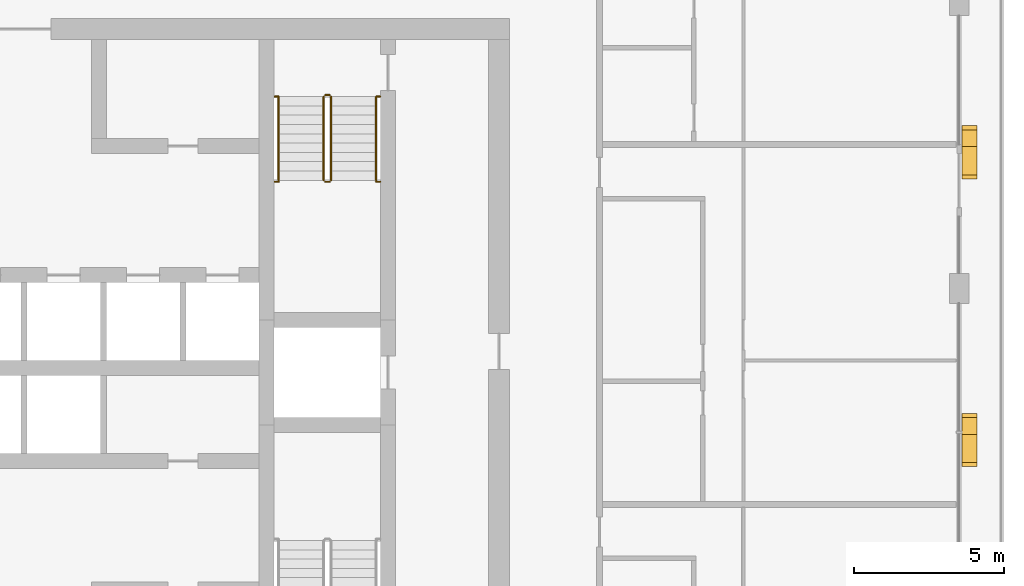
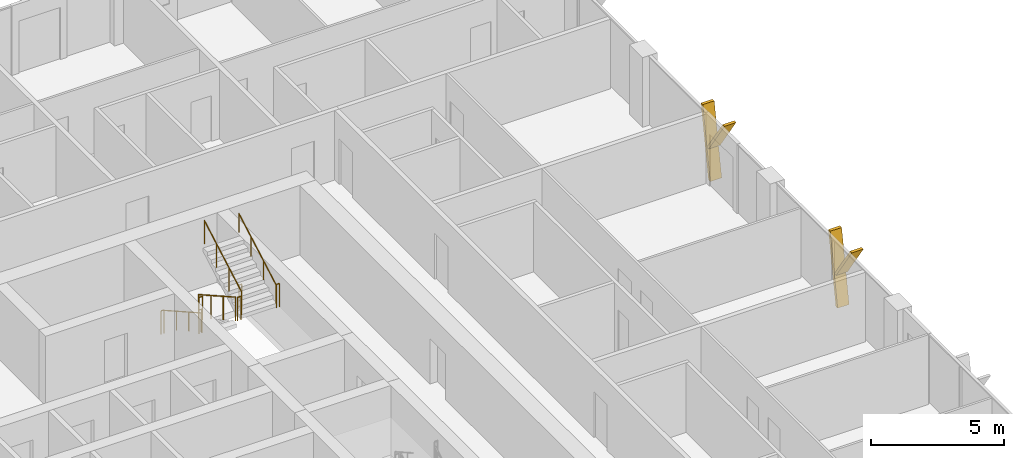
# One storey, part 21 of 22: 10 railings, 4 shading devices.
"""IFC4 building model written with IfcOpenShell, lengths in metres."""

from ifc_helpers import new_model, si_unit, direction, frame, origin, origin_2d, place, context, subcontext, project, spatial, polyline, circle, outline, extrude, material, type_object, element, save


model = new_model("IFC4")

# Units and contexts
model_context = context("Model", 3, precision=1e-05, world=origin(), true_north=direction((0.0, 1.0)))
body_context = subcontext(model_context, "Body", "Model", "MODEL_VIEW")
ifc_project = project(units=[si_unit("LENGTHUNIT", "METRE"), si_unit("AREAUNIT", "SQUARE_METRE"), si_unit("VOLUMEUNIT", "CUBIC_METRE"), si_unit("PLANEANGLEUNIT", "RADIAN"), si_unit("MASSUNIT", "GRAM", prefix="KILO")], contexts=[model_context])

# Site, building, storey
site_placement = place(None, origin())
site = spatial("IfcSite", under=ifc_project, at=site_placement, CompositionType="ELEMENT")
building_placement = place(site_placement, origin())
building = spatial("IfcBuilding", under=site, at=building_placement, Name="Madar Terraces", CompositionType="ELEMENT")
storey_placement = place(building_placement, frame((0.0, 0.0, 208.800048828125)))
storey = spatial("IfcBuildingStorey", under=building, at=storey_placement, Name="L54", CompositionType="ELEMENT", Elevation=208.800048828125)

# Shading devices
ifc_material_1 = material(Name="Aluminium, black anodised", Category="aluminium")
shading_device_type = type_object("IfcShadingDeviceType", Name="Facade fin blade 140 x 500", PredefinedType="USERDEFINED", material=ifc_material_1)
shading_device_1_placement = place(storey_placement, frame((62.75, 23.929931640625, 0.0), z_axis=(0.0, 0.0, 1.0), x_axis=(0.0, 1.0, 0.0)))
element("IfcShadingDevice", 1, at=shading_device_1_placement, inside=storey, type_object=shading_device_type, Name="FIN L54 E2", ObjectType="FIN", PredefinedType="USERDEFINED", context=body_context, shape_type="SweptSolid", body=[
    extrude(outline(polyline([(0.0, 0.0), (0.14013671875, 0.0), (0.704345703125, 3.199951171875), (0.564208984375, 3.199951171875), (0.0, 0.0)])), frame((0.0, 0.25, 0.0), z_axis=(0.0, -1.0, 0.0), x_axis=(1.0, 0.0, 0.0)), (0.0, 0.0, 1.0), 0.5),
])
shading_device_2_placement = place(storey_placement, frame((62.75, 24.0439453125, 1.43994140625), z_axis=(0.0, 0.0, 1.0), x_axis=(0.0, 1.0, 0.0)))
element("IfcShadingDevice", 2, at=shading_device_2_placement, inside=storey, type_object=shading_device_type, Name="FIN L54 E2 branch", ObjectType="FIN", PredefinedType="USERDEFINED", context=body_context, shape_type="SweptSolid", body=[
    extrude(outline(polyline([(0.0, 0.0), (0.139892578125, 0.0), (-1.049560546875, 1.760009765625), (-1.189697265625, 1.760009765625), (0.0, 0.0)])), frame((0.0, 0.25, 0.0), z_axis=(0.0, -1.0, 0.0), x_axis=(1.0, 0.0, 0.0)), (0.0, 0.0, 1.0), 0.5),
])
shading_device_3_placement = place(storey_placement, frame((62.75, 33.530029296875, 0.0), z_axis=(0.0, 0.0, 1.0), x_axis=(0.0, 1.0, 0.0)))
element("IfcShadingDevice", 3, at=shading_device_3_placement, inside=storey, type_object=shading_device_type, Name="FIN L54 E3", ObjectType="FIN", PredefinedType="USERDEFINED", context=body_context, shape_type="SweptSolid", body=[
    extrude(outline(polyline([(0.0, 0.0), (0.139892578125, 0.0), (0.704345703125, 3.199951171875), (0.564208984375, 3.199951171875), (0.0, 0.0)])), frame((0.0, 0.25, 0.0), z_axis=(0.0, -1.0, 0.0), x_axis=(1.0, 0.0, 0.0)), (0.0, 0.0, 1.0), 0.5),
])
shading_device_4_placement = place(storey_placement, frame((62.75, 33.643798828125, 1.43994140625), z_axis=(0.0, 0.0, 1.0), x_axis=(0.0, 1.0, 0.0)))
element("IfcShadingDevice", 4, at=shading_device_4_placement, inside=storey, type_object=shading_device_type, Name="FIN L54 E3 branch", ObjectType="FIN", PredefinedType="USERDEFINED", context=body_context, shape_type="SweptSolid", body=[
    extrude(outline(polyline([(0.0, 0.0), (0.14013671875, 0.0), (-1.049560546875, 1.760009765625), (-1.189697265625, 1.760009765625), (0.0, 0.0)])), frame((0.0, 0.25, 0.0), z_axis=(0.0, -1.0, 0.0), x_axis=(1.0, 0.0, 0.0)), (0.0, 0.0, 1.0), 0.5),
])

# Railings
ifc_material_2 = material(Name="Stainless steel railing", Category="steel")
railing_type_1 = type_object("IfcRailingType", Name="Stair guard 1100", PredefinedType="GUARDRAIL", material=ifc_material_2)
railing_1_placement = place(storey_placement, frame((41.199951171875, 35.199951171875, 0.175048828125)))
element("IfcRailing", 5, at=railing_1_placement, inside=storey, type_object=railing_type_1, Name="L54 ST2 stair guard 1", PredefinedType="GUARDRAIL", context=body_context, shape_type="SweptSolid", body=[
    extrude(circle(Radius=0.02392578125, at=origin_2d()), frame((0.0, 0.0, 1.076171875), z_axis=(0.0, -0.870833779661, 0.491577591232), x_axis=(1.0, 0.0, 0.0)), (0.0, 0.0, 1.0), 3.203857421875),
    extrude(circle(Radius=0.02099609375, at=origin_2d()), origin(), (0.0, 0.0, 1.0), 1.052001953125),
    extrude(circle(Radius=0.02099609375, at=origin_2d()), frame((0.0, -0.929931640625, 0.52490234375)), (0.0, 0.0, 1.0), 1.052001953125),
    extrude(circle(Radius=0.02099609375, at=origin_2d()), frame((0.0, -1.860107421875, 1.050048828125)), (0.0, 0.0, 1.0), 1.052001953125),
    extrude(circle(Radius=0.02099609375, at=origin_2d()), frame((0.0, -2.7900390625, 1.574951171875)), (0.0, 0.0, 1.0), 1.052001953125),
])
railing_2_placement = place(storey_placement, frame((41.25, 32.360107421875, 1.75)))
element("IfcRailing", 6, at=railing_2_placement, inside=storey, type_object=railing_type_1, Name="L54 ST2 stair guard 2", PredefinedType="GUARDRAIL", context=body_context, shape_type="SweptSolid", body=[
    extrude(circle(Radius=0.02392578125, at=origin_2d()), frame((0.0, 0.0, 1.076171875), z_axis=(1.0, 0.0, 0.0), x_axis=(0.0, 1.0, 0.0)), (0.0, 0.0, 1.0), 0.14990234375),
    extrude(circle(Radius=0.02099609375, at=origin_2d()), origin(), (0.0, 0.0, 1.0), 1.052001953125),
    extrude(circle(Radius=0.02099609375, at=origin_2d()), frame((0.14990234375, 0.0, 0.0)), (0.0, 0.0, 1.0), 1.052001953125),
])
railing_3_placement = place(storey_placement, frame((41.449951171875, 32.409912109375, 1.925048828125)))
element("IfcRailing", 7, at=railing_3_placement, inside=storey, type_object=railing_type_1, Name="L54 ST2 stair guard 3", PredefinedType="GUARDRAIL", context=body_context, shape_type="SweptSolid", body=[
    extrude(circle(Radius=0.02392578125, at=origin_2d()), frame((0.0, 0.0, 1.076171875), z_axis=(0.0, 0.870833779661, 0.491577591232), x_axis=(-1.0, 0.0, 0.0)), (0.0, 0.0, 1.0), 3.203857421875),
    extrude(circle(Radius=0.02099609375, at=origin_2d()), origin(), (0.0, 0.0, 1.0), 1.052001953125),
    extrude(circle(Radius=0.02099609375, at=origin_2d()), frame((0.0, 0.929931640625, 0.52490234375)), (0.0, 0.0, 1.0), 1.052001953125),
    extrude(circle(Radius=0.02099609375, at=origin_2d()), frame((0.0, 1.860107421875, 1.050048828125)), (0.0, 0.0, 1.0), 1.052001953125),
    extrude(circle(Radius=0.02099609375, at=origin_2d()), frame((0.0, 2.7900390625, 1.574951171875)), (0.0, 0.0, 1.0), 1.052001953125),
])
railing_4_placement = place(storey_placement, frame((41.25, 35.25, 0.0)))
element("IfcRailing", 8, at=railing_4_placement, inside=storey, type_object=railing_type_1, Name="L54 ST2 stair guard 4", PredefinedType="GUARDRAIL", context=body_context, shape_type="SweptSolid", body=[
    extrude(circle(Radius=0.02392578125, at=origin_2d()), frame((0.0, 0.0, 1.076171875), z_axis=(1.0, 0.0, 0.0), x_axis=(0.0, 1.0, 0.0)), (0.0, 0.0, 1.0), 0.14990234375),
    extrude(circle(Radius=0.02099609375, at=origin_2d()), origin(), (0.0, 0.0, 1.0), 1.052001953125),
    extrude(circle(Radius=0.02099609375, at=origin_2d()), frame((0.14990234375, 0.0, 0.0)), (0.0, 0.0, 1.0), 1.052001953125),
])
railing_5_placement = place(storey_placement, frame((39.570068359375, 32.360107421875, 1.75)))
element("IfcRailing", 9, at=railing_5_placement, inside=storey, type_object=railing_type_1, Name="L54 stair guard seat 1", PredefinedType="GUARDRAIL", context=body_context, shape_type="SweptSolid", body=[
    extrude(circle(Radius=0.02392578125, at=origin_2d()), frame((0.0, 0.0, 1.076171875), z_axis=(1.0, 0.0, 0.0), x_axis=(0.0, 1.0, 0.0)), (0.0, 0.0, 1.0), 0.1298828125),
    extrude(circle(Radius=0.02099609375, at=origin_2d()), origin(), (0.0, 0.0, 1.0), 1.052001953125),
    extrude(circle(Radius=0.02099609375, at=origin_2d()), frame((0.1298828125, 0.0, 0.0)), (0.0, 0.0, 1.0), 1.052001953125),
])
railing_6_placement = place(storey_placement, frame((42.949951171875, 32.360107421875, 1.75)))
element("IfcRailing", 10, at=railing_6_placement, inside=storey, type_object=railing_type_1, Name="L54 stair guard seat 2", PredefinedType="GUARDRAIL", context=body_context, shape_type="SweptSolid", body=[
    extrude(circle(Radius=0.02392578125, at=origin_2d()), frame((0.0, 0.0, 1.076171875), z_axis=(1.0, 0.0, 0.0), x_axis=(0.0, 1.0, 0.0)), (0.0, 0.0, 1.0), 0.130126953125),
    extrude(circle(Radius=0.02099609375, at=origin_2d()), origin(), (0.0, 0.0, 1.0), 1.052001953125),
    extrude(circle(Radius=0.02099609375, at=origin_2d()), frame((0.130126953125, 0.0, 0.0)), (0.0, 0.0, 1.0), 1.052001953125),
])
railing_7_placement = place(storey_placement, frame((39.570068359375, 35.199951171875, 0.0)))
element("IfcRailing", 11, at=railing_7_placement, inside=storey, type_object=railing_type_1, Name="L54 stair guard floor 1", PredefinedType="GUARDRAIL", context=body_context, shape_type="SweptSolid", body=[
    extrude(circle(Radius=0.02392578125, at=origin_2d()), frame((0.0, 0.0, 1.076171875), z_axis=(1.0, 0.0, 0.0), x_axis=(0.0, 1.0, 0.0)), (0.0, 0.0, 1.0), 0.1298828125),
    extrude(circle(Radius=0.02099609375, at=origin_2d()), origin(), (0.0, 0.0, 1.0), 1.052001953125),
    extrude(circle(Radius=0.02099609375, at=origin_2d()), frame((0.1298828125, 0.0, 0.0)), (0.0, 0.0, 1.0), 1.052001953125),
])
railing_8_placement = place(storey_placement, frame((42.949951171875, 35.199951171875, 0.0)))
element("IfcRailing", 12, at=railing_8_placement, inside=storey, type_object=railing_type_1, Name="L54 stair guard floor 2", PredefinedType="GUARDRAIL", context=body_context, shape_type="SweptSolid", body=[
    extrude(circle(Radius=0.02392578125, at=origin_2d()), frame((0.0, 0.0, 1.076171875), z_axis=(1.0, 0.0, 0.0), x_axis=(0.0, 1.0, 0.0)), (0.0, 0.0, 1.0), 0.130126953125),
    extrude(circle(Radius=0.02099609375, at=origin_2d()), origin(), (0.0, 0.0, 1.0), 1.052001953125),
    extrude(circle(Radius=0.02099609375, at=origin_2d()), frame((0.130126953125, 0.0, 0.0)), (0.0, 0.0, 1.0), 1.052001953125),
])
ifc_material_3 = material(Name="Stainless steel railing", Category="steel")
railing_type_2 = type_object("IfcRailingType", Name="Stair handrail 900", PredefinedType="HANDRAIL", material=ifc_material_3)
railing_9_placement = place(storey_placement, frame((39.699951171875, 35.199951171875, 0.175048828125)))
element("IfcRailing", 13, at=railing_9_placement, inside=storey, type_object=railing_type_2, Name="L54 ST2 stair handrail 1", PredefinedType="HANDRAIL", context=body_context, shape_type="SweptSolid", body=[
    extrude(circle(Radius=0.02392578125, at=origin_2d()), frame((0.0, 0.0, 0.8759765625), z_axis=(0.0, -0.870833779661, 0.491577591232), x_axis=(1.0, 0.0, 0.0)), (0.0, 0.0, 1.0), 3.203857421875),
    extrude(circle(Radius=0.02099609375, at=origin_2d()), origin(), (0.0, 0.0, 1.0), 0.851806640625),
    extrude(circle(Radius=0.02099609375, at=origin_2d()), frame((0.0, -0.929931640625, 0.52490234375)), (0.0, 0.0, 1.0), 0.851806640625),
    extrude(circle(Radius=0.02099609375, at=origin_2d()), frame((0.0, -1.860107421875, 1.050048828125)), (0.0, 0.0, 1.0), 0.851806640625),
    extrude(circle(Radius=0.02099609375, at=origin_2d()), frame((0.0, -2.7900390625, 1.574951171875)), (0.0, 0.0, 1.0), 0.851806640625),
])
railing_10_placement = place(storey_placement, frame((42.949951171875, 32.409912109375, 1.925048828125)))
element("IfcRailing", 14, at=railing_10_placement, inside=storey, type_object=railing_type_2, Name="L54 ST2 stair handrail 2", PredefinedType="HANDRAIL", context=body_context, shape_type="SweptSolid", body=[
    extrude(circle(Radius=0.02392578125, at=origin_2d()), frame((0.0, 0.0, 0.8759765625), z_axis=(0.0, 0.870833779661, 0.491577591232), x_axis=(-1.0, 0.0, 0.0)), (0.0, 0.0, 1.0), 3.203857421875),
    extrude(circle(Radius=0.02099609375, at=origin_2d()), origin(), (0.0, 0.0, 1.0), 0.851806640625),
    extrude(circle(Radius=0.02099609375, at=origin_2d()), frame((0.0, 0.929931640625, 0.52490234375)), (0.0, 0.0, 1.0), 0.851806640625),
    extrude(circle(Radius=0.02099609375, at=origin_2d()), frame((0.0, 1.860107421875, 1.050048828125)), (0.0, 0.0, 1.0), 0.851806640625),
    extrude(circle(Radius=0.02099609375, at=origin_2d()), frame((0.0, 2.7900390625, 1.574951171875)), (0.0, 0.0, 1.0), 0.851806640625),
])

save(model, "model.ifc")
